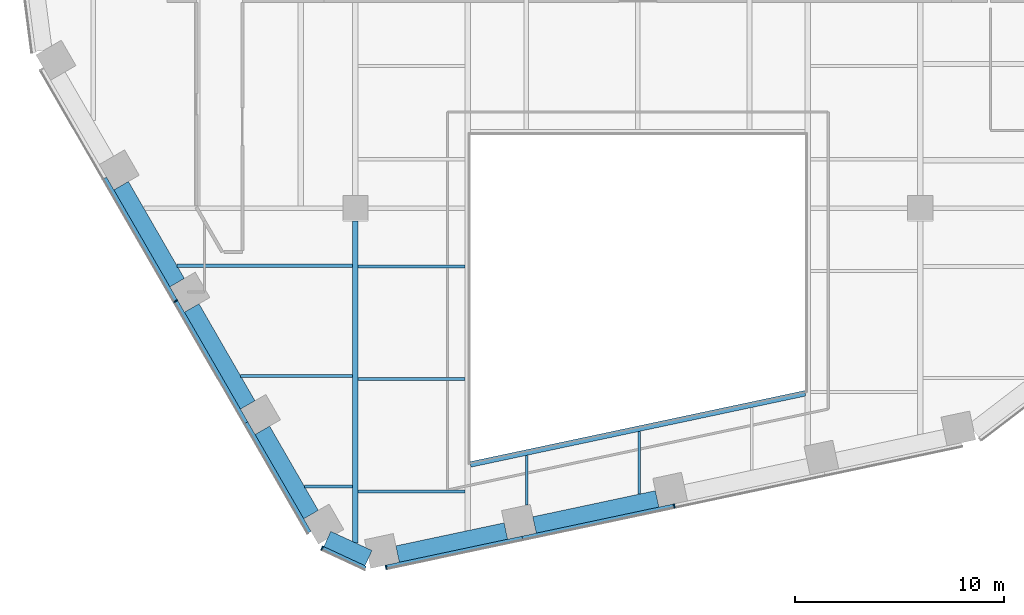
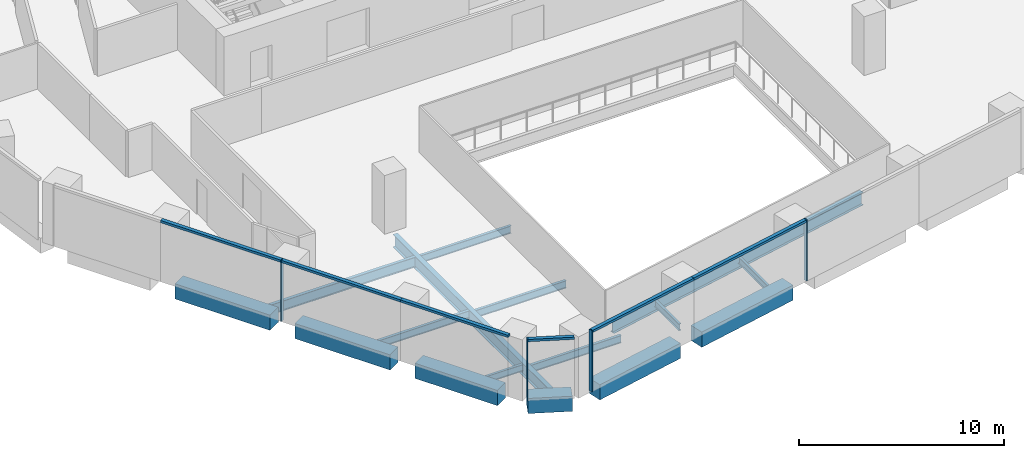
# One storey, part 2 of 16: 16 beams, 10 members, 3 elements without a shape of their own.
"""IFC4 building model written with IfcOpenShell, lengths in metres."""

from ifc_helpers import new_model, si_unit, direction, frame, origin, origin_2d, place, context, subcontext, project, spatial, rectangle, i_section, extrude, material, layer, layer_set, material_profile, profile_set, type_object, element, aggregate, save


model = new_model("IFC4")

# Units and contexts
model_context = context("Model", 3, precision=1e-05, world=origin(), true_north=direction((0.0, 1.0)))
body_context = subcontext(model_context, "Body", "Model", "MODEL_VIEW")
ifc_project = project(units=[si_unit("LENGTHUNIT", "METRE"), si_unit("AREAUNIT", "SQUARE_METRE"), si_unit("VOLUMEUNIT", "CUBIC_METRE"), si_unit("PLANEANGLEUNIT", "RADIAN"), si_unit("MASSUNIT", "GRAM", prefix="KILO")], contexts=[model_context])

# Site, building, storey
site_placement = place(None, origin())
site = spatial("IfcSite", under=ifc_project, at=site_placement, CompositionType="ELEMENT")
building_placement = place(site_placement, origin())
building = spatial("IfcBuilding", under=site, at=building_placement, Name="Isthmus Gate Tower", CompositionType="ELEMENT")
storey_placement = place(building_placement, frame((0.0, 0.0, 133.449951171875)))
storey = spatial("IfcBuildingStorey", under=building, at=storey_placement, Name="L32", CompositionType="ELEMENT", Elevation=133.449951171875)

# Curtain wall, member
ifc_material_1 = material(Name="Aluminium, pale champagne anodised", Category="aluminium")
ifc_layer = layer(ifc_material_1, 0.199951171875)
ifc_layer_set = layer_set([ifc_layer], Name="CW-1 UNITISED CURTAIN WALL 200 DEEP")
curtain_wall_type = type_object("IfcCurtainWallType", Name="CW-1 UNITISED CURTAIN WALL 200 DEEP", PredefinedType="NOTDEFINED", material=ifc_layer_set)
curtain_wall_1_placement = place(storey_placement, origin())
curtain_wall_1 = element("IfcCurtainWall", 1, at=curtain_wall_1_placement, inside=storey, type_object=curtain_wall_type, Name="CW-1 SW L32", PredefinedType="NOTDEFINED")
ifc_material_2 = material(Name="Aluminium, pale champagne anodised", Category="aluminium")
ifc_material_profile_1 = material_profile(ifc_material_2, rectangle(XDim=0.06005859375, YDim=0.199951171875, at=origin_2d()), Name="60x200")
ifc_profile_set_1 = profile_set([ifc_material_profile_1], Name="Aluminium, pale champagne anodised")
member_type_1 = type_object("IfcMemberType", Name="CW-1 MULLION 60 X 200", PredefinedType="MULLION", material=ifc_profile_set_1)
member_1_placement = place(storey_placement, frame((-22.08935546875, -17.93994140625, 0.0), z_axis=(0.0, 0.0, 1.0), x_axis=(0.5, -0.866025403784, 0.0)))
member_1 = element("IfcMember", 2, at=member_1_placement, type_object=member_type_1, Name="CW-1 mullion", PredefinedType="MULLION", context=body_context, shape_type="SweptSolid", body=[
    extrude(rectangle(XDim=0.06005859375, YDim=0.199951171875, at=origin_2d()), origin(), (0.0, 0.0, 1.0), 3.650146484375),
])

curtain_wall_2_placement = place(storey_placement, origin())
curtain_wall_2 = element("IfcCurtainWall", 3, at=curtain_wall_2_placement, inside=storey, type_object=curtain_wall_type, Name="CW-1 SW-S L32", PredefinedType="NOTDEFINED")
member_2_placement = place(storey_placement, frame((-15.091064453125, -29.74755859375, 0.0), z_axis=(0.0, 0.0, 1.0), x_axis=(0.907256261367, -0.420578264073, 0.0)))
member_2 = element("IfcMember", 4, at=member_2_placement, type_object=member_type_1, Name="CW-1 mullion", PredefinedType="MULLION", context=body_context, shape_type="SweptSolid", body=[
    extrude(rectangle(XDim=0.06005859375, YDim=0.199951171875, at=origin_2d()), origin(), (0.0, 0.0, 1.0), 3.650146484375),
])

# Curtain wall, members
curtain_wall_3_placement = place(storey_placement, origin())
curtain_wall_3 = element("IfcCurtainWall", 5, at=curtain_wall_3_placement, inside=storey, type_object=curtain_wall_type, Name="CW-1 S L32", PredefinedType="NOTDEFINED")
member_3_placement = place(storey_placement, frame((-12.03369140625, -30.66015625, 0.0), z_axis=(0.0, 0.0, 1.0), x_axis=(0.978147600734, 0.207911690818, 0.0)))
member_3 = element("IfcMember", 6, at=member_3_placement, type_object=member_type_1, Name="CW-1 mullion", PredefinedType="MULLION", context=body_context, shape_type="SweptSolid", body=[
    extrude(rectangle(XDim=0.06005859375, YDim=0.199951171875, at=origin_2d()), origin(), (0.0, 0.0, 1.0), 3.650146484375),
])
member_4_placement = place(storey_placement, frame((1.740234375, -27.732421875, 0.0), z_axis=(0.0, 0.0, 1.0), x_axis=(0.978147600734, 0.207911690818, 0.0)))
member_4 = element("IfcMember", 7, at=member_4_placement, type_object=member_type_1, Name="CW-1 mullion", PredefinedType="MULLION", context=body_context, shape_type="SweptSolid", body=[
    extrude(rectangle(XDim=0.06005859375, YDim=0.199951171875, at=origin_2d()), origin(), (0.0, 0.0, 1.0), 3.650146484375),
])

# Member
ifc_material_3 = material(Name="Aluminium, pale champagne anodised", Category="aluminium")
ifc_material_profile_2 = material_profile(ifc_material_3, rectangle(XDim=0.199951171875, YDim=0.139892578125, at=origin_2d()), Name="200x140")
ifc_profile_set_2 = profile_set([ifc_material_profile_2], Name="Aluminium, pale champagne anodised")
member_type_2 = type_object("IfcMemberType", Name="CW-1 TRANSOM 200 X 140", PredefinedType="USERDEFINED", material=ifc_profile_set_2)
member_5_placement = place(storey_placement, frame((-25.4794921875, -12.068115234375, 3.580078125), z_axis=(0.49998230858, -0.86603561769, 0.0), x_axis=(0.86603561769, 0.49998230858, 0.0)))
member_5 = element("IfcMember", 8, at=member_5_placement, type_object=member_type_2, Name="CW-1 transom", ObjectType="TRANSOM", PredefinedType="USERDEFINED", context=body_context, shape_type="SweptSolid", body=[
    extrude(rectangle(XDim=0.199951171875, YDim=0.139892578125, at=origin_2d()), origin(), (0.0, 0.0, 1.0), 6.750244140625),
])

member_6_placement = place(storey_placement, frame((-22.074462890625, -17.9658203125, 3.580078125), z_axis=(0.499981482168, -0.866036094796, 0.0), x_axis=(0.866036094796, 0.499981482168, 0.0)))
member_6 = element("IfcMember", 9, at=member_6_placement, type_object=member_type_2, Name="CW-1 transom", ObjectType="TRANSOM", PredefinedType="USERDEFINED", context=body_context, shape_type="SweptSolid", body=[
    extrude(rectangle(XDim=0.199951171875, YDim=0.139892578125, at=origin_2d()), origin(), (0.0, 0.0, 1.0), 6.690185546875),
])

member_7_placement = place(storey_placement, frame((-18.7294921875, -23.759765625, 3.580078125), z_axis=(0.50001470477, -0.866016913815, 0.0), x_axis=(0.866016913815, 0.50001470477, 0.0)))
member_7 = element("IfcMember", 10, at=member_7_placement, type_object=member_type_2, Name="CW-1 transom", ObjectType="TRANSOM", PredefinedType="USERDEFINED", context=body_context, shape_type="SweptSolid", body=[
    extrude(rectangle(XDim=0.199951171875, YDim=0.139892578125, at=origin_2d()), origin(), (0.0, 0.0, 1.0), 6.050048828125),
])

aggregate(curtain_wall_1, [member_5, member_1, member_6, member_7])

member_8_placement = place(storey_placement, frame((-15.06396484375, -29.76025390625, 3.580078125), z_axis=(0.907246225564, -0.420599912268, 0.0), x_axis=(0.420599912268, 0.907246225564, 0.0)))
member_8 = element("IfcMember", 11, at=member_8_placement, type_object=member_type_2, Name="CW-1 transom", ObjectType="TRANSOM", PredefinedType="USERDEFINED", context=body_context, shape_type="SweptSolid", body=[
    extrude(rectangle(XDim=0.199951171875, YDim=0.139892578125, at=origin_2d()), origin(), (0.0, 0.0, 1.0), 2.258544921875),
])

aggregate(curtain_wall_2, [member_2, member_8])

member_9_placement = place(storey_placement, frame((-12.00439453125, -30.65380859375, 3.580078125), z_axis=(0.97814593552, 0.207919524877, 0.0), x_axis=(-0.207919524877, 0.97814593552, 0.0)))
member_9 = element("IfcMember", 12, at=member_9_placement, type_object=member_type_2, Name="CW-1 transom", ObjectType="TRANSOM", PredefinedType="USERDEFINED", context=body_context, shape_type="SweptSolid", body=[
    extrude(rectangle(XDim=0.199951171875, YDim=0.139892578125, at=origin_2d()), origin(), (0.0, 0.0, 1.0), 6.630859375),
])

member_10_placement = place(storey_placement, frame((-5.5185546875, -29.275146484375, 3.580078125), z_axis=(0.978147683684, 0.207911300568, 0.0), x_axis=(-0.207911300568, 0.978147683684, 0.0)))
member_10 = element("IfcMember", 13, at=member_10_placement, type_object=member_type_2, Name="CW-1 transom", ObjectType="TRANSOM", PredefinedType="USERDEFINED", context=body_context, shape_type="SweptSolid", body=[
    extrude(rectangle(XDim=0.199951171875, YDim=0.139892578125, at=origin_2d()), origin(), (0.0, 0.0, 1.0), 7.390869140625),
])

aggregate(curtain_wall_3, [member_3, member_9, member_10, member_4])

# Beams
ifc_material_4 = material(Name="Concrete f'c 60 MPa", Category="concrete")
ifc_material_profile_3 = material_profile(ifc_material_4, rectangle(XDim=0.800048828125, YDim=0.89990234375, at=origin_2d()), Name="RC 800X900")
ifc_profile_set_3 = profile_set([ifc_material_profile_3], Name="Concrete f'c 60 MPa")
beam_type_1 = type_object("IfcBeamType", Name="RC SPANDREL 800 X 900", PredefinedType="SPANDREL", material=ifc_profile_set_3)
beam_1_placement = place(storey_placement, frame((0.922119140625, -27.39501953125, -0.449951171875), z_axis=(-0.978145798872, -0.20792016773, 0.0), x_axis=(0.20792016773, -0.978145798872, 0.0)))
element("IfcBeam", 14, at=beam_1_placement, inside=storey, type_object=beam_type_1, Name="str-spandrel-L32-13", PredefinedType="SPANDREL", context=body_context, shape_type="SweptSolid", body=[
    extrude(rectangle(XDim=0.800048828125, YDim=0.89990234375, at=origin_2d()), origin(), (0.0, 0.0, 1.0), 5.99072265625),
])
beam_2_placement = place(storey_placement, frame((-6.30712890625, -28.931640625, -0.449951171875), z_axis=(-0.978145479826, -0.207921668653, 0.0), x_axis=(0.207921668653, -0.978145479826, 0.0)))
element("IfcBeam", 15, at=beam_2_placement, inside=storey, type_object=beam_type_1, Name="str-spandrel-L32-14", PredefinedType="SPANDREL", context=body_context, shape_type="SweptSolid", body=[
    extrude(rectangle(XDim=0.800048828125, YDim=0.89990234375, at=origin_2d()), origin(), (0.0, 0.0, 1.0), 5.291015625),
])
beam_3_placement = place(storey_placement, frame((-12.87255859375, -30.224853515625, -0.449951171875), z_axis=(-0.907290744498, 0.420503870314, 0.0), x_axis=(-0.420503870314, -0.907290744498, 0.0)))
element("IfcBeam", 16, at=beam_3_placement, inside=storey, type_object=beam_type_1, Name="str-spandrel-L32-15", PredefinedType="SPANDREL", context=body_context, shape_type="SweptSolid", body=[
    extrude(rectangle(XDim=0.800048828125, YDim=0.89990234375, at=origin_2d()), origin(), (0.0, 0.0, 1.0), 2.173095703125),
])
beam_4_placement = place(storey_placement, frame((-15.621337890625, -28.14306640625, -0.449951171875), z_axis=(-0.499984536904, 0.866034331223, 0.0), x_axis=(-0.866034331223, -0.499984536904, 0.0)))
element("IfcBeam", 17, at=beam_4_placement, inside=storey, type_object=beam_type_1, Name="str-spandrel-L32-16", PredefinedType="SPANDREL", context=body_context, shape_type="SweptSolid", body=[
    extrude(rectangle(XDim=0.800048828125, YDim=0.89990234375, at=origin_2d()), origin(), (0.0, 0.0, 1.0), 4.650146484375),
])
for number, where, z_axis, x_axis, name in (
    (18, (-18.646484375, -22.903564453125, -0.449951171875), (-0.500001594578, 0.866024483152, 0.0), (-0.866024483152, -0.500001594578, 0.0), "str-spandrel-L32-17"),
    (19, (-22.021484375, -17.0576171875, -0.449951171875), (-0.500001594578, 0.866024483152, 0.0), (-0.866024483152, -0.500001594578, 0.0), "str-spandrel-L32-18"),
):
    element("IfcBeam", number, at=place(storey_placement, frame(where, z_axis=z_axis, x_axis=x_axis)), inside=storey, type_object=beam_type_1, Name=name, PredefinedType="SPANDREL", context=body_context, shape_type="SweptSolid", body=[
        extrude(rectangle(XDim=0.800048828125, YDim=0.89990234375, at=origin_2d()), origin(), (0.0, 0.0, 1.0), 5.35009765625),
    ])
ifc_material_5 = material(Name="Structural steel ASTM A992 Gr 50", Category="steel")
ifc_material_profile_4 = material_profile(ifc_material_5, i_section(OverallWidth=0.1396484375, OverallDepth=0.4033203125, WebThickness=0.00634765625, FlangeThickness=0.010986328125, at=origin_2d()), Name="W16X31")
ifc_profile_set_4 = profile_set([ifc_material_profile_4], Name="Structural steel ASTM A992 Gr 50")
beam_type_2 = type_object("IfcBeamType", Name="STEEL FLOOR BEAM W16X31", PredefinedType="JOIST", material=ifc_profile_set_4)
beam_5_placement = place(storey_placement, frame((-15.937744140625, -26.795166015625, -0.3515625), z_axis=(1.0, 0.0, 0.0), x_axis=(0.0, 1.0, 0.0)))
element("IfcBeam", 20, at=beam_5_placement, inside=storey, type_object=beam_type_2, Name="str-beam-L32-02-00", PredefinedType="JOIST", context=body_context, shape_type="SweptSolid", body=[
    extrude(i_section(OverallWidth=0.1396484375, OverallDepth=0.4033203125, WebThickness=0.00634765625, FlangeThickness=0.010986328125, at=origin_2d()), origin(), (0.0, 0.0, 1.0), 2.304443359375),
])
beam_6_placement = place(storey_placement, frame((-5.311279296875, -27.69775390625, -0.3515625), z_axis=(0.0, 1.0, 0.0), x_axis=(-1.0, 0.0, 0.0)))
element("IfcBeam", 21, at=beam_6_placement, inside=storey, type_object=beam_type_2, Name="str-beam-L32-07-00", PredefinedType="JOIST", context=body_context, shape_type="SweptSolid", body=[
    extrude(i_section(OverallWidth=0.1396484375, OverallDepth=0.4033203125, WebThickness=0.00634765625, FlangeThickness=0.010986328125, at=origin_2d()), origin(), (0.0, 0.0, 1.0), 2.385498046875),
])
beam_7_placement = place(storey_placement, frame((0.06591796875, -27.168212890625, -0.3515625), z_axis=(0.0, 1.0, 0.0), x_axis=(-1.0, 0.0, 0.0)))
element("IfcBeam", 22, at=beam_7_placement, inside=storey, type_object=beam_type_2, Name="str-beam-L32-07-01", PredefinedType="JOIST", context=body_context, shape_type="SweptSolid", body=[
    extrude(i_section(OverallWidth=0.1396484375, OverallDepth=0.4033203125, WebThickness=0.00634765625, FlangeThickness=0.010986328125, at=origin_2d()), origin(), (0.0, 0.0, 1.0), 2.9990234375),
])
ifc_material_6 = material(Name="Structural steel ASTM A992 Gr 50", Category="steel")
ifc_material_profile_5 = material_profile(ifc_material_6, i_section(OverallWidth=0.15234375, OverallDepth=0.45068359375, WebThickness=0.0078125, FlangeThickness=0.010986328125, at=origin_2d()), Name="W18X35")
ifc_profile_set_5 = profile_set([ifc_material_profile_5], Name="Structural steel ASTM A992 Gr 50")
beam_type_3 = type_object("IfcBeamType", Name="STEEL FLOOR BEAM W18X35", PredefinedType="JOIST", material=ifc_profile_set_5)
beam_8_placement = place(storey_placement, frame((-18.981689453125, -21.52294921875, -0.375244140625), z_axis=(1.0, 0.0, 0.0), x_axis=(0.0, 1.0, 0.0)))
element("IfcBeam", 23, at=beam_8_placement, inside=storey, type_object=beam_type_3, Name="str-beam-L32-02-01", PredefinedType="JOIST", context=body_context, shape_type="SweptSolid", body=[
    extrude(i_section(OverallWidth=0.15234375, OverallDepth=0.45068359375, WebThickness=0.0078125, FlangeThickness=0.010986328125, at=origin_2d()), origin(), (0.0, 0.0, 1.0), 5.348388671875),
])
for number, where, z_axis, x_axis, name in (
    (24, (-13.36669921875, -27.04736328125, -0.375244140625), (1.0, 0.0, 0.0), (0.0, 1.0, 0.0), "str-beam-L32-03-00"),
    (25, (-13.36669921875, -21.67041015625, -0.375244140625), (1.0, 0.0, 0.0), (0.0, 1.0, 0.0), "str-beam-L32-03-01"),
    (26, (-13.36669921875, -16.293212890625, -0.375244140625), (1.0, 0.0, 0.0), (0.0, 1.0, 0.0), "str-beam-L32-03-02"),
):
    element("IfcBeam", number, at=place(storey_placement, frame(where, z_axis=z_axis, x_axis=x_axis)), inside=storey, type_object=beam_type_3, Name=name, PredefinedType="JOIST", context=body_context, shape_type="SweptSolid", body=[
        extrude(i_section(OverallWidth=0.15234375, OverallDepth=0.45068359375, WebThickness=0.0078125, FlangeThickness=0.010986328125, at=origin_2d()), origin(), (0.0, 0.0, 1.0), 5.10009765625),
    ])
ifc_material_7 = material(Name="Structural steel ASTM A992 Gr 50", Category="steel")
ifc_material_profile_6 = material_profile(ifc_material_7, i_section(OverallWidth=0.177734375, OverallDepth=0.60009765625, WebThickness=0.009521484375, FlangeThickness=0.0126953125, at=origin_2d()), Name="W24X55")
ifc_profile_set_6 = profile_set([ifc_material_profile_6], Name="Structural steel ASTM A992 Gr 50")
beam_type_4 = type_object("IfcBeamType", Name="STEEL FLOOR BEAM W24X55", PredefinedType="JOIST", material=ifc_profile_set_6)
beam_9_placement = place(storey_placement, frame((-22.025634765625, -16.25048828125, -0.449951171875), z_axis=(1.0, 0.0, 0.0), x_axis=(0.0, 1.0, 0.0)))
element("IfcBeam", 27, at=beam_9_placement, inside=storey, type_object=beam_type_4, Name="str-beam-L32-02-02", PredefinedType="JOIST", context=body_context, shape_type="SweptSolid", body=[
    extrude(i_section(OverallWidth=0.177734375, OverallDepth=0.60009765625, WebThickness=0.009521484375, FlangeThickness=0.0126953125, at=origin_2d()), origin(), (0.0, 0.0, 1.0), 8.392333984375),
])
ifc_material_8 = material(Name="Structural steel ASTM A992 Gr 50", Category="steel")
ifc_material_profile_7 = material_profile(ifc_material_8, i_section(OverallWidth=0.2666015625, OverallDepth=0.7587890625, WebThickness=0.014404296875, FlangeThickness=0.01904296875, at=origin_2d()), Name="W30X108")
ifc_profile_set_7 = profile_set([ifc_material_profile_7], Name="Structural steel ASTM A992 Gr 50")
beam_type_5 = type_object("IfcBeamType", Name="STEEL GIRDER W30X108", PredefinedType="BEAM", material=ifc_profile_set_7)
beam_10_placement = place(storey_placement, frame((-13.5, -29.4931640625, -0.529296875), z_axis=(0.0, 1.0, 0.0), x_axis=(-1.0, 0.0, 0.0)))
element("IfcBeam", 28, at=beam_10_placement, inside=storey, type_object=beam_type_5, Name="str-girder-L32-07", PredefinedType="BEAM", context=body_context, shape_type="SweptSolid", body=[
    extrude(i_section(OverallWidth=0.2666015625, OverallDepth=0.7587890625, WebThickness=0.014404296875, FlangeThickness=0.01904296875, at=origin_2d()), origin(), (0.0, 0.0, 1.0), 15.39306640625),
])
ifc_material_9 = material(Name="Structural steel ASTM A992 Gr 50", Category="steel")
ifc_material_profile_8 = material_profile(ifc_material_9, i_section(OverallWidth=0.2666015625, OverallDepth=0.7587890625, WebThickness=0.014404296875, FlangeThickness=0.01904296875, at=origin_2d()), Name="W30X108")
ifc_profile_set_8 = profile_set([ifc_material_profile_8], Name="Structural steel ASTM A992 Gr 50")
beam_type_6 = type_object("IfcBeamType", Name="STEEL TRIMMER W30X108", PredefinedType="BEAM", material=ifc_profile_set_8)
beam_11_placement = place(storey_placement, frame((-8.0, -25.747314453125, -0.529296875), z_axis=(0.978147924985, 0.20791016533, 0.0), x_axis=(-0.20791016533, 0.978147924985, 0.0)))
element("IfcBeam", 29, at=beam_11_placement, inside=storey, type_object=beam_type_6, Name="str-trimmer-L32-03", PredefinedType="BEAM", context=body_context, shape_type="SweptSolid", body=[
    extrude(i_section(OverallWidth=0.2666015625, OverallDepth=0.7587890625, WebThickness=0.014404296875, FlangeThickness=0.01904296875, at=origin_2d()), origin(), (0.0, 0.0, 1.0), 16.357421875),
])

save(model, "model.ifc")
